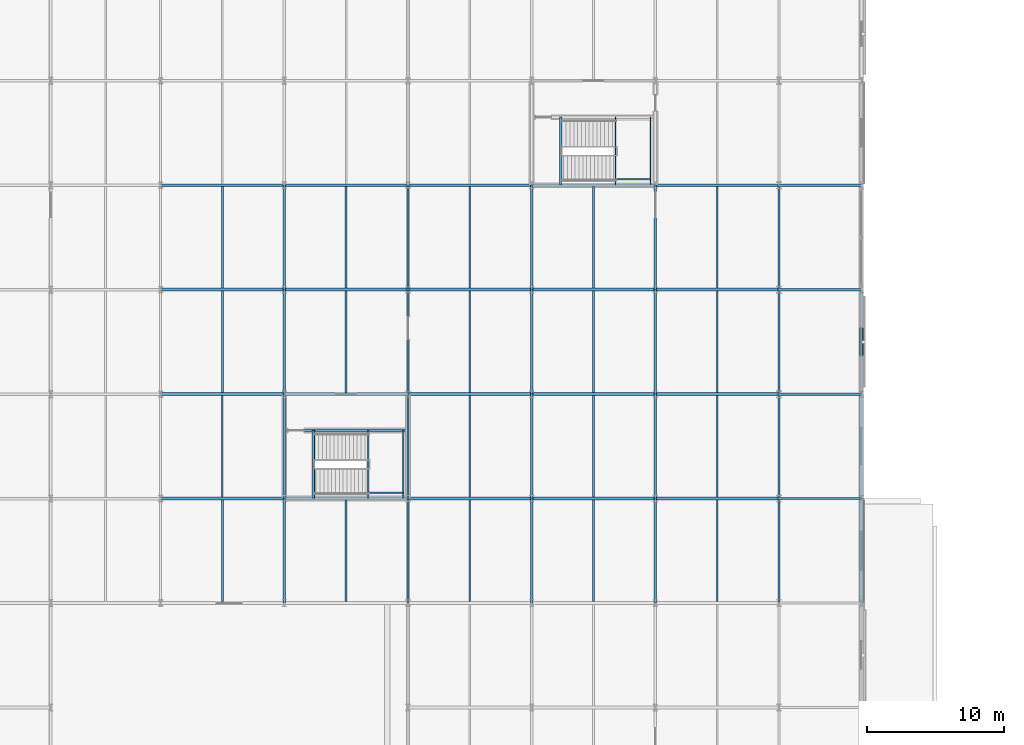
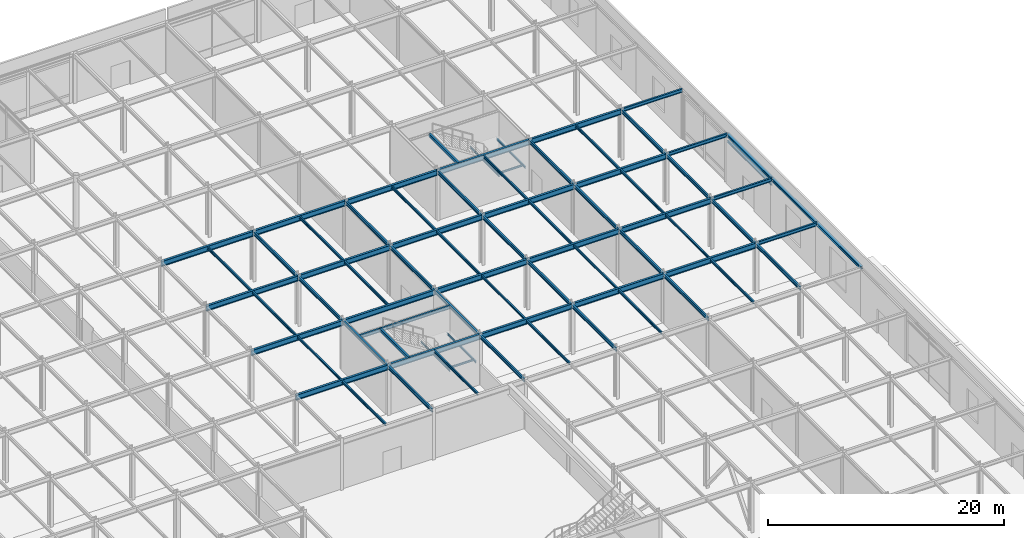
# One storey, part 49 of 89: 76 beams.
"""IFC4 building model written with IfcOpenShell, lengths in metres."""

from ifc_helpers import new_model, si_unit, direction, frame, origin, origin_2d, place, context, subcontext, project, spatial, hollow_rectangle, i_section, extrude, material, material_profile, profile_set, type_object, element, save


model = new_model("IFC4")

# Units and contexts
model_context = context("Model", 3, precision=1e-05, world=origin(), true_north=direction((0.0, 1.0)))
body_context = subcontext(model_context, "Body", "Model", "MODEL_VIEW")
ifc_project = project(units=[si_unit("LENGTHUNIT", "METRE"), si_unit("AREAUNIT", "SQUARE_METRE"), si_unit("VOLUMEUNIT", "CUBIC_METRE"), si_unit("PLANEANGLEUNIT", "RADIAN"), si_unit("MASSUNIT", "GRAM", prefix="KILO")], contexts=[model_context])

# Site, building, storey
site_placement = place(None, origin())
site = spatial("IfcSite", under=ifc_project, at=site_placement, CompositionType="ELEMENT")
building_placement = place(site_placement, origin())
building = spatial("IfcBuilding", under=site, at=building_placement, Name="Shalkamar Park Central Library", CompositionType="ELEMENT")
storey_placement = place(building_placement, origin())
storey = spatial("IfcBuildingStorey", under=building, at=storey_placement, Name="L01", CompositionType="ELEMENT", Elevation=0.0)

# Beams
ifc_material = material(Name="Steel S355", Category="steel")
ifc_material_profile_1 = material_profile(ifc_material, i_section(OverallWidth=0.10009765625, OverallDepth=0.199951171875, WebThickness=0.005615234375, FlangeThickness=0.008544921875, FilletRadius=0.011962890625, at=origin_2d()), Name="IPE 200")
ifc_profile_set_1 = profile_set([ifc_material_profile_1], Name="Steel S355")
beam_type_1 = type_object("IfcBeamType", Name="Composite Floor Joist IPE200", PredefinedType="JOIST", material=ifc_profile_set_1)
for number, where, z_axis, x_axis, name in (
    (1, (252.10498046875, 300.800048828125, 2.320068359375), (0.0, 1.0, 0.0), (-1.0, 0.0, 0.0), "Stair Half-Landing Beam ST-P4-L01-1"),
    (2, (254.64501953125, 300.800048828125, 2.320068359375), (0.0, 1.0, 0.0), (-1.0, 0.0, 0.0), "Stair Half-Landing Beam ST-P4-L01-2"),
):
    element("IfcBeam", number, at=place(storey_placement, frame(where, z_axis=z_axis, x_axis=x_axis)), inside=storey, type_object=beam_type_1, Name=name, PredefinedType="JOIST", context=body_context, shape_type="SweptSolid", body=[
        extrude(i_section(OverallWidth=0.10009765625, OverallDepth=0.199951171875, WebThickness=0.005615234375, FlangeThickness=0.008544921875, FilletRadius=0.011962890625, at=origin_2d()), origin(), (0.0, 0.0, 1.0), 4.949951171875),
    ])
beam_1_placement = place(storey_placement, frame((252.10498046875, 301.22509765625, 2.320068359375), z_axis=(1.0, 0.0, 0.0), x_axis=(0.0, 1.0, 0.0)))
element("IfcBeam", 3, at=beam_1_placement, inside=storey, type_object=beam_type_1, Name="Stair Half-Landing Cross Tie ST-P4-L01-3", PredefinedType="JOIST", context=body_context, shape_type="SweptSolid", body=[
    extrude(i_section(OverallWidth=0.10009765625, OverallDepth=0.199951171875, WebThickness=0.005615234375, FlangeThickness=0.008544921875, FilletRadius=0.011962890625, at=origin_2d()), origin(), (0.0, 0.0, 1.0), 2.5400390625),
])
for number, where, z_axis, x_axis, name in (
    (4, (270.10498046875, 323.60009765625, 2.320068359375), (0.0, 1.0, 0.0), (-1.0, 0.0, 0.0), "Stair Half-Landing Beam ST-P6-L01-1"),
    (5, (272.64501953125, 323.60009765625, 2.320068359375), (0.0, 1.0, 0.0), (-1.0, 0.0, 0.0), "Stair Half-Landing Beam ST-P6-L01-2"),
):
    element("IfcBeam", number, at=place(storey_placement, frame(where, z_axis=z_axis, x_axis=x_axis)), inside=storey, type_object=beam_type_1, Name=name, PredefinedType="JOIST", context=body_context, shape_type="SweptSolid", body=[
        extrude(i_section(OverallWidth=0.10009765625, OverallDepth=0.199951171875, WebThickness=0.005615234375, FlangeThickness=0.008544921875, FilletRadius=0.011962890625, at=origin_2d()), origin(), (0.0, 0.0, 1.0), 4.949951171875),
    ])
beam_2_placement = place(storey_placement, frame((270.10498046875, 324.02490234375, 2.320068359375), z_axis=(1.0, 0.0, 0.0), x_axis=(0.0, 1.0, 0.0)))
element("IfcBeam", 6, at=beam_2_placement, inside=storey, type_object=beam_type_1, Name="Stair Half-Landing Cross Tie ST-P6-L01-3", PredefinedType="JOIST", context=body_context, shape_type="SweptSolid", body=[
    extrude(i_section(OverallWidth=0.10009765625, OverallDepth=0.199951171875, WebThickness=0.005615234375, FlangeThickness=0.008544921875, FilletRadius=0.011962890625, at=origin_2d()), origin(), (0.0, 0.0, 1.0), 2.5400390625),
])
ifc_material_profile_2 = material_profile(ifc_material, i_section(OverallWidth=0.1201171875, OverallDepth=0.239990234375, WebThickness=0.006103515625, FlangeThickness=0.009765625, FilletRadius=0.014892578125, at=origin_2d()), Name="IPE 240")
ifc_profile_set_2 = profile_set([ifc_material_profile_2], Name="Steel S355")
beam_type_2 = type_object("IfcBeamType", Name="Composite Floor Joist IPE240", PredefinedType="JOIST", material=ifc_profile_set_2)
for number, where, z_axis, x_axis, name in (
    (7, (241.5, 300.903076171875, 5.02001953125), (0.0, 1.0, 0.0), (-1.0, 0.0, 0.0), "Composite Joist 16/J-1 (L01)"),
    (8, (259.5, 300.903076171875, 5.02001953125), (0.0, 1.0, 0.0), (-1.0, 0.0, 0.0), "Composite Joist 18/J-1 (L01)"),
    (9, (268.5, 300.903076171875, 5.02001953125), (0.0, 1.0, 0.0), (-1.0, 0.0, 0.0), "Composite Joist 19/J-1 (L01)"),
    (10, (277.5, 300.903076171875, 5.030029296875), (0.0, 1.0, 0.0), (-1.0, 0.0, 0.0), "Composite Joist 20/J-1 (L01)"),
):
    element("IfcBeam", number, at=place(storey_placement, frame(where, z_axis=z_axis, x_axis=x_axis)), inside=storey, type_object=beam_type_2, Name=name, PredefinedType="JOIST", context=body_context, shape_type="SweptSolid", body=[
        extrude(i_section(OverallWidth=0.1201171875, OverallDepth=0.239990234375, WebThickness=0.006103515625, FlangeThickness=0.009765625, FilletRadius=0.014892578125, at=origin_2d()), origin(), (0.0, 0.0, 1.0), 7.39404296875),
    ])
ifc_material_profile_3 = material_profile(ifc_material, i_section(OverallWidth=0.135009765625, OverallDepth=0.27001953125, WebThickness=0.006591796875, FlangeThickness=0.01025390625, FilletRadius=0.014892578125, at=origin_2d()), Name="IPE 270")
ifc_profile_set_3 = profile_set([ifc_material_profile_3], Name="Steel S355")
beam_type_3 = type_object("IfcBeamType", Name="Composite Floor Joist IPE270", PredefinedType="JOIST", material=ifc_profile_set_3)
for number, where, z_axis, x_axis, name in (
    (11, (241.5, 293.302978515625, 5.0048828125), (0.0, 1.0, 0.0), (-1.0, 0.0, 0.0), "Composite Joist 16/H-1 (L01)"),
    (12, (241.5, 308.5029296875, 5.0048828125), (0.0, 1.0, 0.0), (-1.0, 0.0, 0.0), "Composite Joist 16/K-1 (L01)"),
    (13, (241.5, 316.10302734375, 5.0048828125), (0.0, 1.0, 0.0), (-1.0, 0.0, 0.0), "Composite Joist 16/L-1 (L01)"),
    (14, (250.5, 293.302978515625, 5.0048828125), (0.0, 1.0, 0.0), (-1.0, 0.0, 0.0), "Composite Joist 17/H-1 (L01)"),
    (15, (250.5, 308.5029296875, 5.0048828125), (0.0, 1.0, 0.0), (-1.0, 0.0, 0.0), "Composite Joist 17/K-1 (L01)"),
    (16, (250.5, 316.10302734375, 5.0048828125), (0.0, 1.0, 0.0), (-1.0, 0.0, 0.0), "Composite Joist 17/L-1 (L01)"),
    (17, (259.5, 293.302978515625, 5.0048828125), (0.0, 1.0, 0.0), (-1.0, 0.0, 0.0), "Composite Joist 18/H-1 (L01)"),
    (18, (259.5, 308.5029296875, 5.0048828125), (0.0, 1.0, 0.0), (-1.0, 0.0, 0.0), "Composite Joist 18/K-1 (L01)"),
    (19, (259.5, 316.10302734375, 5.0048828125), (0.0, 1.0, 0.0), (-1.0, 0.0, 0.0), "Composite Joist 18/L-1 (L01)"),
    (20, (268.5, 293.302978515625, 5.0048828125), (0.0, 1.0, 0.0), (-1.0, 0.0, 0.0), "Composite Joist 19/H-1 (L01)"),
    (21, (268.5, 308.5029296875, 5.0048828125), (0.0, 1.0, 0.0), (-1.0, 0.0, 0.0), "Composite Joist 19/K-1 (L01)"),
    (22, (268.5, 316.10302734375, 5.0048828125), (0.0, 1.0, 0.0), (-1.0, 0.0, 0.0), "Composite Joist 19/L-1 (L01)"),
    (23, (277.5, 293.302978515625, 5.014892578125), (0.0, 1.0, 0.0), (-1.0, 0.0, 0.0), "Composite Joist 20/H-1 (L01)"),
    (24, (277.5, 308.5029296875, 5.014892578125), (0.0, 1.0, 0.0), (-1.0, 0.0, 0.0), "Composite Joist 20/K-1 (L01)"),
    (25, (277.5, 316.10302734375, 5.014892578125), (0.0, 1.0, 0.0), (-1.0, 0.0, 0.0), "Composite Joist 20/L-1 (L01)"),
):
    element("IfcBeam", number, at=place(storey_placement, frame(where, z_axis=z_axis, x_axis=x_axis)), inside=storey, type_object=beam_type_3, Name=name, PredefinedType="JOIST", context=body_context, shape_type="SweptSolid", body=[
        extrude(i_section(OverallWidth=0.135009765625, OverallDepth=0.27001953125, WebThickness=0.006591796875, FlangeThickness=0.01025390625, FilletRadius=0.014892578125, at=origin_2d()), origin(), (0.0, 0.0, 1.0), 7.39404296875),
    ])
ifc_material_profile_4 = material_profile(ifc_material, i_section(OverallWidth=0.179931640625, OverallDepth=0.1708984375, WebThickness=0.006103515625, FlangeThickness=0.009521484375, FilletRadius=0.014892578125, at=origin_2d()), Name="HEA 180")
ifc_profile_set_4 = profile_set([ifc_material_profile_4], Name="Steel S355")
beam_type_4 = type_object("IfcBeamType", Name="Opening Lintel Beam HEA180", PredefinedType="LINTEL", material=ifc_profile_set_4)
beam_3_placement = place(storey_placement, frame((288.0, 308.47998046875, 4.35009765625), z_axis=(0.0, 1.0, 0.0), x_axis=(-1.0, 0.0, 0.0)))
element("IfcBeam", 26, at=beam_3_placement, inside=storey, type_object=beam_type_4, Name="Opening Lintel L01-24", PredefinedType="LINTEL", context=body_context, shape_type="SweptSolid", body=[
    extrude(i_section(OverallWidth=0.179931640625, OverallDepth=0.1708984375, WebThickness=0.006103515625, FlangeThickness=0.009521484375, FilletRadius=0.014892578125, at=origin_2d()), origin(), (0.0, 0.0, 1.0), 7.43994140625),
])
ifc_material_profile_5 = material_profile(ifc_material, i_section(OverallWidth=0.280029296875, OverallDepth=0.27001953125, WebThickness=0.008056640625, FlangeThickness=0.012939453125, FilletRadius=0.02392578125, at=origin_2d()), Name="HEA 280")
ifc_profile_set_5 = profile_set([ifc_material_profile_5], Name="Steel S355")
beam_type_5 = type_object("IfcBeamType", Name="Perimeter Spandrel Beam HEA280", PredefinedType="SPANDREL", material=ifc_profile_set_5)
beam_4_placement = place(storey_placement, frame((288.0, 293.199951171875, 5.014892578125), z_axis=(0.0, 1.0, 0.0), x_axis=(-1.0, 0.0, 0.0)))
element("IfcBeam", 27, at=beam_4_placement, inside=storey, type_object=beam_type_5, Name="Beam 22:H-J (L01)", PredefinedType="SPANDREL", context=body_context, shape_type="SweptSolid", body=[
    extrude(i_section(OverallWidth=0.280029296875, OverallDepth=0.27001953125, WebThickness=0.008056640625, FlangeThickness=0.012939453125, FilletRadius=0.02392578125, at=origin_2d()), origin(), (0.0, 0.0, 1.0), 7.60009765625),
])
beam_5_placement = place(storey_placement, frame((288.0, 300.800048828125, 5.014892578125), z_axis=(0.0, 1.0, 0.0), x_axis=(-1.0, 0.0, 0.0)))
element("IfcBeam", 28, at=beam_5_placement, inside=storey, type_object=beam_type_5, Name="Beam 22:J-K (L01)", PredefinedType="SPANDREL", context=body_context, shape_type="SweptSolid", body=[
    extrude(i_section(OverallWidth=0.280029296875, OverallDepth=0.27001953125, WebThickness=0.008056640625, FlangeThickness=0.012939453125, FilletRadius=0.02392578125, at=origin_2d()), origin(), (0.0, 0.0, 1.0), 7.599853515625),
])
beam_6_placement = place(storey_placement, frame((288.0, 308.39990234375, 5.014892578125), z_axis=(0.0, 1.0, 0.0), x_axis=(-1.0, 0.0, 0.0)))
element("IfcBeam", 29, at=beam_6_placement, inside=storey, type_object=beam_type_5, Name="Beam 22:K-L (L01)", PredefinedType="SPANDREL", context=body_context, shape_type="SweptSolid", body=[
    extrude(i_section(OverallWidth=0.280029296875, OverallDepth=0.27001953125, WebThickness=0.008056640625, FlangeThickness=0.012939453125, FilletRadius=0.02392578125, at=origin_2d()), origin(), (0.0, 0.0, 1.0), 7.60009765625),
])
ifc_material_profile_6 = material_profile(ifc_material, i_section(OverallWidth=0.169921875, OverallDepth=0.360107421875, WebThickness=0.008056640625, FlangeThickness=0.0126953125, FilletRadius=0.01806640625, at=origin_2d()), Name="IPE 360")
ifc_profile_set_6 = profile_set([ifc_material_profile_6], Name="Steel S355")
beam_type_6 = type_object("IfcBeamType", Name="Primary Girder IPE360", PredefinedType="BEAM", material=ifc_profile_set_6)
for number, where, z_axis, x_axis, name in (
    (30, (282.0, 300.800048828125, 4.969970703125), (1.0, 0.0, 0.0), (0.0, 1.0, 0.0), "Beam J:21-22 (L01)"),
    (31, (282.0, 308.39990234375, 4.969970703125), (1.0, 0.0, 0.0), (0.0, 1.0, 0.0), "Beam K:21-22 (L01)"),
    (32, (282.0, 316.0, 4.969970703125), (1.0, 0.0, 0.0), (0.0, 1.0, 0.0), "Beam L:21-22 (L01)"),
    (33, (282.0, 323.60009765625, 4.969970703125), (1.0, 0.0, 0.0), (0.0, 1.0, 0.0), "Beam M:21-22 (L01)"),
):
    element("IfcBeam", number, at=place(storey_placement, frame(where, z_axis=z_axis, x_axis=x_axis)), inside=storey, type_object=beam_type_6, Name=name, PredefinedType="BEAM", context=body_context, shape_type="SweptSolid", body=[
        extrude(i_section(OverallWidth=0.169921875, OverallDepth=0.360107421875, WebThickness=0.008056640625, FlangeThickness=0.0126953125, FilletRadius=0.01806640625, at=origin_2d()), origin(), (0.0, 0.0, 1.0), 6.0),
    ])
beam_7_placement = place(storey_placement, frame((246.0, 293.199951171875, 4.9599609375), z_axis=(0.0, 1.0, 0.0), x_axis=(-1.0, 0.0, 0.0)))
element("IfcBeam", 34, at=beam_7_placement, inside=storey, type_object=beam_type_6, Name="Beam 17:H-J (L01)", PredefinedType="BEAM", context=body_context, shape_type="SweptSolid", body=[
    extrude(i_section(OverallWidth=0.169921875, OverallDepth=0.360107421875, WebThickness=0.008056640625, FlangeThickness=0.0126953125, FilletRadius=0.01806640625, at=origin_2d()), origin(), (0.0, 0.0, 1.0), 7.60009765625),
])
beam_8_placement = place(storey_placement, frame((246.0, 300.800048828125, 4.9599609375), z_axis=(0.0, 1.0, 0.0), x_axis=(-1.0, 0.0, 0.0)))
element("IfcBeam", 35, at=beam_8_placement, inside=storey, type_object=beam_type_6, Name="Beam 17:J-K (L01)", PredefinedType="BEAM", context=body_context, shape_type="SweptSolid", body=[
    extrude(i_section(OverallWidth=0.169921875, OverallDepth=0.360107421875, WebThickness=0.008056640625, FlangeThickness=0.0126953125, FilletRadius=0.01806640625, at=origin_2d()), origin(), (0.0, 0.0, 1.0), 7.599853515625),
])
for number, where, z_axis, x_axis, name in (
    (36, (246.0, 308.39990234375, 4.9599609375), (0.0, 1.0, 0.0), (-1.0, 0.0, 0.0), "Beam 17:K-L (L01)"),
    (37, (246.0, 316.0, 4.9599609375), (0.0, 1.0, 0.0), (-1.0, 0.0, 0.0), "Beam 17:L-M (L01)"),
    (38, (255.0, 293.199951171875, 4.9599609375), (0.0, 1.0, 0.0), (-1.0, 0.0, 0.0), "Beam 18:H-J (L01)"),
):
    element("IfcBeam", number, at=place(storey_placement, frame(where, z_axis=z_axis, x_axis=x_axis)), inside=storey, type_object=beam_type_6, Name=name, PredefinedType="BEAM", context=body_context, shape_type="SweptSolid", body=[
        extrude(i_section(OverallWidth=0.169921875, OverallDepth=0.360107421875, WebThickness=0.008056640625, FlangeThickness=0.0126953125, FilletRadius=0.01806640625, at=origin_2d()), origin(), (0.0, 0.0, 1.0), 7.60009765625),
    ])
beam_9_placement = place(storey_placement, frame((255.0, 300.800048828125, 4.9599609375), z_axis=(0.0, 1.0, 0.0), x_axis=(-1.0, 0.0, 0.0)))
element("IfcBeam", 39, at=beam_9_placement, inside=storey, type_object=beam_type_6, Name="Beam 18:J-K (L01)", PredefinedType="BEAM", context=body_context, shape_type="SweptSolid", body=[
    extrude(i_section(OverallWidth=0.169921875, OverallDepth=0.360107421875, WebThickness=0.008056640625, FlangeThickness=0.0126953125, FilletRadius=0.01806640625, at=origin_2d()), origin(), (0.0, 0.0, 1.0), 7.599853515625),
])
for number, where, z_axis, x_axis, name in (
    (40, (255.0, 308.39990234375, 4.9599609375), (0.0, 1.0, 0.0), (-1.0, 0.0, 0.0), "Beam 18:K-L (L01)"),
    (41, (255.0, 316.0, 4.9599609375), (0.0, 1.0, 0.0), (-1.0, 0.0, 0.0), "Beam 18:L-M (L01)"),
    (42, (264.0, 293.199951171875, 4.9599609375), (0.0, 1.0, 0.0), (-1.0, 0.0, 0.0), "Beam 19:H-J (L01)"),
):
    element("IfcBeam", number, at=place(storey_placement, frame(where, z_axis=z_axis, x_axis=x_axis)), inside=storey, type_object=beam_type_6, Name=name, PredefinedType="BEAM", context=body_context, shape_type="SweptSolid", body=[
        extrude(i_section(OverallWidth=0.169921875, OverallDepth=0.360107421875, WebThickness=0.008056640625, FlangeThickness=0.0126953125, FilletRadius=0.01806640625, at=origin_2d()), origin(), (0.0, 0.0, 1.0), 7.60009765625),
    ])
beam_10_placement = place(storey_placement, frame((264.0, 300.800048828125, 4.9599609375), z_axis=(0.0, 1.0, 0.0), x_axis=(-1.0, 0.0, 0.0)))
element("IfcBeam", 43, at=beam_10_placement, inside=storey, type_object=beam_type_6, Name="Beam 19:J-K (L01)", PredefinedType="BEAM", context=body_context, shape_type="SweptSolid", body=[
    extrude(i_section(OverallWidth=0.169921875, OverallDepth=0.360107421875, WebThickness=0.008056640625, FlangeThickness=0.0126953125, FilletRadius=0.01806640625, at=origin_2d()), origin(), (0.0, 0.0, 1.0), 7.599853515625),
])
for number, where, z_axis, x_axis, name in (
    (44, (264.0, 308.39990234375, 4.9599609375), (0.0, 1.0, 0.0), (-1.0, 0.0, 0.0), "Beam 19:K-L (L01)"),
    (45, (264.0, 316.0, 4.9599609375), (0.0, 1.0, 0.0), (-1.0, 0.0, 0.0), "Beam 19:L-M (L01)"),
    (46, (273.0, 293.199951171875, 4.9599609375), (0.0, 1.0, 0.0), (-1.0, 0.0, 0.0), "Beam 20:H-J (L01)"),
):
    element("IfcBeam", number, at=place(storey_placement, frame(where, z_axis=z_axis, x_axis=x_axis)), inside=storey, type_object=beam_type_6, Name=name, PredefinedType="BEAM", context=body_context, shape_type="SweptSolid", body=[
        extrude(i_section(OverallWidth=0.169921875, OverallDepth=0.360107421875, WebThickness=0.008056640625, FlangeThickness=0.0126953125, FilletRadius=0.01806640625, at=origin_2d()), origin(), (0.0, 0.0, 1.0), 7.60009765625),
    ])
beam_11_placement = place(storey_placement, frame((273.0, 300.800048828125, 4.9599609375), z_axis=(0.0, 1.0, 0.0), x_axis=(-1.0, 0.0, 0.0)))
element("IfcBeam", 47, at=beam_11_placement, inside=storey, type_object=beam_type_6, Name="Beam 20:J-K (L01)", PredefinedType="BEAM", context=body_context, shape_type="SweptSolid", body=[
    extrude(i_section(OverallWidth=0.169921875, OverallDepth=0.360107421875, WebThickness=0.008056640625, FlangeThickness=0.0126953125, FilletRadius=0.01806640625, at=origin_2d()), origin(), (0.0, 0.0, 1.0), 7.599853515625),
])
for number, where, z_axis, x_axis, name in (
    (48, (273.0, 308.39990234375, 4.9599609375), (0.0, 1.0, 0.0), (-1.0, 0.0, 0.0), "Beam 20:K-L (L01)"),
    (49, (273.0, 316.0, 4.9599609375), (0.0, 1.0, 0.0), (-1.0, 0.0, 0.0), "Beam 20:L-M (L01)"),
    (50, (282.0, 293.199951171875, 4.969970703125), (0.0, 1.0, 0.0), (-1.0, 0.0, 0.0), "Beam 21:H-J (L01)"),
):
    element("IfcBeam", number, at=place(storey_placement, frame(where, z_axis=z_axis, x_axis=x_axis)), inside=storey, type_object=beam_type_6, Name=name, PredefinedType="BEAM", context=body_context, shape_type="SweptSolid", body=[
        extrude(i_section(OverallWidth=0.169921875, OverallDepth=0.360107421875, WebThickness=0.008056640625, FlangeThickness=0.0126953125, FilletRadius=0.01806640625, at=origin_2d()), origin(), (0.0, 0.0, 1.0), 7.60009765625),
    ])
beam_12_placement = place(storey_placement, frame((282.0, 300.800048828125, 4.969970703125), z_axis=(0.0, 1.0, 0.0), x_axis=(-1.0, 0.0, 0.0)))
element("IfcBeam", 51, at=beam_12_placement, inside=storey, type_object=beam_type_6, Name="Beam 21:J-K (L01)", PredefinedType="BEAM", context=body_context, shape_type="SweptSolid", body=[
    extrude(i_section(OverallWidth=0.169921875, OverallDepth=0.360107421875, WebThickness=0.008056640625, FlangeThickness=0.0126953125, FilletRadius=0.01806640625, at=origin_2d()), origin(), (0.0, 0.0, 1.0), 7.599853515625),
])
for number, where, z_axis, x_axis, name in (
    (52, (282.0, 308.39990234375, 4.969970703125), (0.0, 1.0, 0.0), (-1.0, 0.0, 0.0), "Beam 21:K-L (L01)"),
    (53, (282.0, 316.0, 4.969970703125), (0.0, 1.0, 0.0), (-1.0, 0.0, 0.0), "Beam 21:L-M (L01)"),
):
    element("IfcBeam", number, at=place(storey_placement, frame(where, z_axis=z_axis, x_axis=x_axis)), inside=storey, type_object=beam_type_6, Name=name, PredefinedType="BEAM", context=body_context, shape_type="SweptSolid", body=[
        extrude(i_section(OverallWidth=0.169921875, OverallDepth=0.360107421875, WebThickness=0.008056640625, FlangeThickness=0.0126953125, FilletRadius=0.01806640625, at=origin_2d()), origin(), (0.0, 0.0, 1.0), 7.60009765625),
    ])
beam_13_placement = place(storey_placement, frame((246.087890625, 305.75, 4.9599609375), z_axis=(1.0, 0.0, 0.0), x_axis=(0.0, 1.0, 0.0)))
element("IfcBeam", 54, at=beam_13_placement, inside=storey, type_object=beam_type_6, Name="CORE-P4 Stairwell Divider Beam (L01)", PredefinedType="BEAM", context=body_context, shape_type="SweptSolid", body=[
    extrude(i_section(OverallWidth=0.169921875, OverallDepth=0.360107421875, WebThickness=0.008056640625, FlangeThickness=0.0126953125, FilletRadius=0.01806640625, at=origin_2d()), origin(), (0.0, 0.0, 1.0), 8.82421875),
])
ifc_material_profile_7 = material_profile(ifc_material, i_section(OverallWidth=0.2099609375, OverallDepth=0.550048828125, WebThickness=0.010986328125, FlangeThickness=0.01708984375, FilletRadius=0.02392578125, at=origin_2d()), Name="IPE 550")
ifc_profile_set_7 = profile_set([ifc_material_profile_7], Name="Steel S355")
beam_type_7 = type_object("IfcBeamType", Name="Primary Girder IPE550", PredefinedType="BEAM", material=ifc_profile_set_7)
for number, where, z_axis, x_axis, name in (
    (55, (237.0, 300.800048828125, 4.864990234375), (1.0, 0.0, 0.0), (0.0, 1.0, 0.0), "Beam J:16-17 (L01)"),
    (56, (246.0, 300.800048828125, 4.864990234375), (1.0, 0.0, 0.0), (0.0, 1.0, 0.0), "Beam J:17-18 (L01)"),
    (57, (255.0, 300.800048828125, 4.864990234375), (1.0, 0.0, 0.0), (0.0, 1.0, 0.0), "Beam J:18-19 (L01)"),
    (58, (264.0, 300.800048828125, 4.864990234375), (1.0, 0.0, 0.0), (0.0, 1.0, 0.0), "Beam J:19-20 (L01)"),
    (59, (273.0, 300.800048828125, 4.864990234375), (1.0, 0.0, 0.0), (0.0, 1.0, 0.0), "Beam J:20-21 (L01)"),
    (60, (237.0, 308.39990234375, 4.864990234375), (1.0, 0.0, 0.0), (0.0, 1.0, 0.0), "Beam K:16-17 (L01)"),
    (61, (246.0, 308.39990234375, 4.864990234375), (1.0, 0.0, 0.0), (0.0, 1.0, 0.0), "Beam K:17-18 (L01)"),
    (62, (255.0, 308.39990234375, 4.864990234375), (1.0, 0.0, 0.0), (0.0, 1.0, 0.0), "Beam K:18-19 (L01)"),
    (63, (264.0, 308.39990234375, 4.864990234375), (1.0, 0.0, 0.0), (0.0, 1.0, 0.0), "Beam K:19-20 (L01)"),
    (64, (273.0, 308.39990234375, 4.864990234375), (1.0, 0.0, 0.0), (0.0, 1.0, 0.0), "Beam K:20-21 (L01)"),
    (65, (237.0, 316.0, 4.864990234375), (1.0, 0.0, 0.0), (0.0, 1.0, 0.0), "Beam L:16-17 (L01)"),
    (66, (246.0, 316.0, 4.864990234375), (1.0, 0.0, 0.0), (0.0, 1.0, 0.0), "Beam L:17-18 (L01)"),
    (67, (255.0, 316.0, 4.864990234375), (1.0, 0.0, 0.0), (0.0, 1.0, 0.0), "Beam L:18-19 (L01)"),
    (68, (264.0, 316.0, 4.864990234375), (1.0, 0.0, 0.0), (0.0, 1.0, 0.0), "Beam L:19-20 (L01)"),
    (69, (273.0, 316.0, 4.864990234375), (1.0, 0.0, 0.0), (0.0, 1.0, 0.0), "Beam L:20-21 (L01)"),
    (70, (237.0, 323.60009765625, 4.864990234375), (1.0, 0.0, 0.0), (0.0, 1.0, 0.0), "Beam M:16-17 (L01)"),
    (71, (246.0, 323.60009765625, 4.864990234375), (1.0, 0.0, 0.0), (0.0, 1.0, 0.0), "Beam M:17-18 (L01)"),
    (72, (255.0, 323.60009765625, 4.864990234375), (1.0, 0.0, 0.0), (0.0, 1.0, 0.0), "Beam M:18-19 (L01)"),
    (73, (264.0, 323.60009765625, 4.864990234375), (1.0, 0.0, 0.0), (0.0, 1.0, 0.0), "Beam M:19-20 (L01)"),
    (74, (273.0, 323.60009765625, 4.864990234375), (1.0, 0.0, 0.0), (0.0, 1.0, 0.0), "Beam M:20-21 (L01)"),
):
    element("IfcBeam", number, at=place(storey_placement, frame(where, z_axis=z_axis, x_axis=x_axis)), inside=storey, type_object=beam_type_7, Name=name, PredefinedType="BEAM", context=body_context, shape_type="SweptSolid", body=[
        extrude(i_section(OverallWidth=0.2099609375, OverallDepth=0.550048828125, WebThickness=0.010986328125, FlangeThickness=0.01708984375, FilletRadius=0.02392578125, at=origin_2d()), origin(), (0.0, 0.0, 1.0), 9.0),
    ])
ifc_material_profile_8 = material_profile(ifc_material, hollow_rectangle(XDim=0.199951171875, YDim=0.300048828125, WallThickness=0.011962890625, InnerFilletRadius=0.011962890625, OuterFilletRadius=0.01806640625, at=origin_2d()), Name="RHS 300x200x12")
ifc_profile_set_8 = profile_set([ifc_material_profile_8], Name="Steel S355")
beam_type_8 = type_object("IfcBeamType", Name="Stair Trimmer Box RHS300x200", PredefinedType="BEAM", material=ifc_profile_set_8)
for number, where, z_axis, x_axis, name in (
    (75, (248.125, 300.800048828125, 4.989990234375), (0.0, 1.0, 0.0), (-1.0, 0.0, 0.0), "Stair Arrival Trimmer Girder ST-P4-L01"),
    (76, (266.125, 323.60009765625, 4.989990234375), (0.0, 1.0, 0.0), (-1.0, 0.0, 0.0), "Stair Arrival Trimmer Girder ST-P6-L01"),
):
    element("IfcBeam", number, at=place(storey_placement, frame(where, z_axis=z_axis, x_axis=x_axis)), inside=storey, type_object=beam_type_8, Name=name, PredefinedType="BEAM", context=body_context, shape_type="SweptSolid", body=[
        extrude(hollow_rectangle(XDim=0.199951171875, YDim=0.300048828125, WallThickness=0.011962890625, InnerFilletRadius=0.011962890625, OuterFilletRadius=0.01806640625, at=origin_2d()), origin(), (0.0, 0.0, 1.0), 4.949951171875),
    ])

save(model, "model.ifc")
